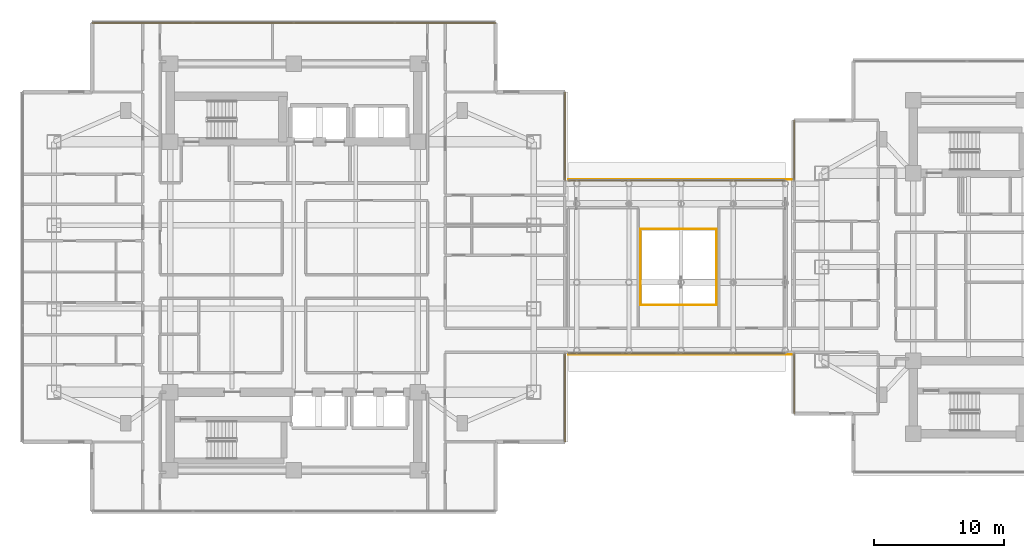
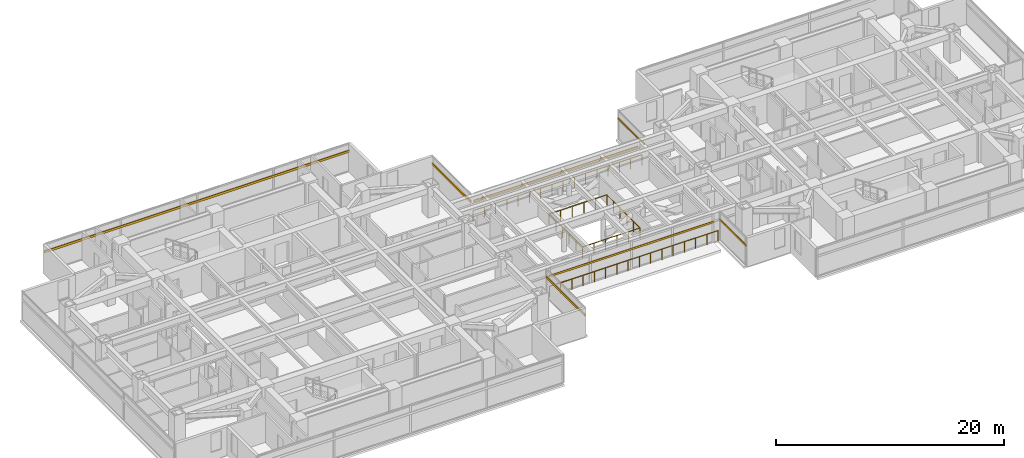
# One storey, part 24 of 27: 7 shading devices, 6 railings.
"""IFC4 building model written with IfcOpenShell, lengths in metres."""

from ifc_helpers import new_model, si_unit, direction, frame, origin, origin_2d, place, context, subcontext, project, spatial, rectangle, circle, extrude, material, material_profile, profile_set, type_object, element, save


model = new_model("IFC4")

# Units and contexts
model_context = context("Model", 3, precision=1e-05, world=origin(), true_north=direction((0.0, 1.0)))
body_context = subcontext(model_context, "Body", "Model", "MODEL_VIEW")
ifc_project = project(units=[si_unit("LENGTHUNIT", "METRE"), si_unit("AREAUNIT", "SQUARE_METRE"), si_unit("VOLUMEUNIT", "CUBIC_METRE"), si_unit("PLANEANGLEUNIT", "RADIAN"), si_unit("MASSUNIT", "GRAM", prefix="KILO")], contexts=[model_context])

# Site, building, storey
site_placement = place(None, origin())
site = spatial("IfcSite", under=ifc_project, at=site_placement, CompositionType="ELEMENT")
building_placement = place(site_placement, origin())
building = spatial("IfcBuilding", under=site, at=building_placement, Name="Mirazonda Arch Towers", CompositionType="ELEMENT")
storey_placement = place(building_placement, frame((0.0, 0.0, 95.0)))
storey = spatial("IfcBuildingStorey", under=building, at=storey_placement, Name="L26", CompositionType="ELEMENT", Elevation=95.0)

# Shading devices
ifc_material_1 = material(Name="Kiln-Fired Architectural Terracotta", Category="masonry")
ifc_material_profile_1 = material_profile(ifc_material_1, rectangle(XDim=0.1201171875, YDim=0.239990234375, at=origin_2d()), Name="TERRA-BAG-120x240")
ifc_profile_set_1 = profile_set([ifc_material_profile_1], Name="Kiln-Fired Architectural Terracotta")
shading_device_type_1 = type_object("IfcShadingDeviceType", Name="BAGUETTE-1", PredefinedType="USERDEFINED", material=ifc_profile_set_1)
for number, where, z_axis, x_axis, name in (
    (1, (41.2900390625, 14.5791015625, 2.203125), (0.0, 1.0, 0.0), (-1.0, 0.0, 0.0), "L26 Glazed Terracotta Sun-Screen Baguette CW-L26-T1-E1"),
    (2, (41.2900390625, 34.639892578125, 2.203125), (0.0, 1.0, 0.0), (-1.0, 0.0, 0.0), "L26 Glazed Terracotta Sun-Screen Baguette CW-L26-T1-E2"),
):
    element("IfcShadingDevice", number, at=place(storey_placement, frame(where, z_axis=z_axis, x_axis=x_axis)), inside=storey, type_object=shading_device_type_1, Name=name, ObjectType="BAGUETTE", PredefinedType="USERDEFINED", context=body_context, shape_type="SweptSolid", body=[
        extrude(rectangle(XDim=0.1201171875, YDim=0.239990234375, at=origin_2d()), origin(), (0.0, 0.0, 1.0), 6.781005859375),
    ])
shading_device_placement = place(storey_placement, frame((5.014892578125, 46.72607421875, 2.203125), z_axis=(1.0, 0.0, 0.0), x_axis=(0.0, 1.0, 0.0)))
element("IfcShadingDevice", 3, at=shading_device_placement, inside=storey, type_object=shading_device_type_1, Name="L26 Glazed Terracotta Sun-Screen Baguette CW-L26-T1-N", ObjectType="BAGUETTE", PredefinedType="USERDEFINED", context=body_context, shape_type="SweptSolid", body=[
    extrude(rectangle(XDim=0.1201171875, YDim=0.239990234375, at=origin_2d()), origin(), (0.0, 0.0, 1.0), 30.97021484375),
])
ifc_material_profile_2 = material_profile(ifc_material_1, rectangle(XDim=0.10009765625, YDim=0.199951171875, at=origin_2d()), Name="TERRA-BAG-100x200")
ifc_profile_set_2 = profile_set([ifc_material_profile_2], Name="Kiln-Fired Architectural Terracotta")
shading_device_type_2 = type_object("IfcShadingDeviceType", Name="BAGUETTE-2", PredefinedType="USERDEFINED", material=ifc_profile_set_2)
for number, where, z_axis, x_axis, name in (
    (4, (58.881591796875, 39.247802734375, 2.203125), (0.0, -1.0, 0.0), (1.0, 0.0, 0.0), "L26 Glazed Terracotta Sun-Screen Baguette CW-L26-T2-W1"),
    (5, (58.881591796875, 21.360107421875, 2.203125), (0.0, -1.0, 0.0), (1.0, 0.0, 0.0), "L26 Glazed Terracotta Sun-Screen Baguette CW-L26-T2-W2"),
):
    element("IfcShadingDevice", number, at=place(storey_placement, frame(where, z_axis=z_axis, x_axis=x_axis)), inside=storey, type_object=shading_device_type_2, Name=name, ObjectType="BAGUETTE", PredefinedType="USERDEFINED", context=body_context, shape_type="SweptSolid", body=[
        extrude(rectangle(XDim=0.10009765625, YDim=0.199951171875, at=origin_2d()), origin(), (0.0, 0.0, 1.0), 4.60791015625),
    ])
for number, where, z_axis, x_axis, name in (
    (6, (58.21142578125, 21.3798828125, 2.17431640625), (-1.0, 0.0, 0.0), (0.0, -1.0, 0.0), "L26 Glazed Terracotta Sun-Screen Baguette CW-L26-BRG-S"),
    (7, (41.550048828125, 34.6201171875, 2.17431640625), (1.0, 0.0, 0.0), (0.0, 1.0, 0.0), "L26 Glazed Terracotta Sun-Screen Baguette CW-L26-BRG-N"),
):
    element("IfcShadingDevice", number, at=place(storey_placement, frame(where, z_axis=z_axis, x_axis=x_axis)), inside=storey, type_object=shading_device_type_2, Name=name, ObjectType="BAGUETTE", PredefinedType="USERDEFINED", context=body_context, shape_type="SweptSolid", body=[
        extrude(rectangle(XDim=0.10009765625, YDim=0.199951171875, at=origin_2d()), origin(), (0.0, 0.0, 1.0), 16.661376953125),
    ])

# Railings
ifc_material_2 = material(Name="Insulated Low-E Solar Glass", Category="glass")
railing_type_1 = type_object("IfcRailingType", Name="BALUSTRADE-ATRIUM-1150", PredefinedType="BALUSTRADE", material=ifc_material_2)
railing_1_placement = place(storey_placement, frame((47.080078125, 25.080078125, 0.0)))
element("IfcRailing", 8, at=railing_1_placement, inside=storey, type_object=railing_type_1, Name="L26 L26 Skybridge Atrium Void Balustrade 01", PredefinedType="BALUSTRADE", context=body_context, shape_type="SweptSolid", body=[
    extrude(circle(Radius=0.02392578125, at=origin_2d()), frame((0.0, 0.0, 1.1259765625), z_axis=(1.0, 0.0, 0.0), x_axis=(0.0, 1.0, 0.0)), (0.0, 0.0, 1.0), 5.83984375),
    extrude(circle(Radius=0.02099609375, at=origin_2d()), origin(), (0.0, 0.0, 1.0), 1.101806640625),
    extrude(circle(Radius=0.02099609375, at=origin_2d()), frame((1.16796875, 0.0, 0.0)), (0.0, 0.0, 1.0), 1.101806640625),
    extrude(circle(Radius=0.02099609375, at=origin_2d()), frame((2.3359375, 0.0, 0.0)), (0.0, 0.0, 1.0), 1.101806640625),
    extrude(circle(Radius=0.02099609375, at=origin_2d()), frame((3.50390625, 0.0, 0.0)), (0.0, 0.0, 1.0), 1.101806640625),
    extrude(circle(Radius=0.02099609375, at=origin_2d()), frame((4.671875, 0.0, 0.0)), (0.0, 0.0, 1.0), 1.101806640625),
    extrude(circle(Radius=0.02099609375, at=origin_2d()), frame((5.83984375, 0.0, 0.0)), (0.0, 0.0, 1.0), 1.101806640625),
])
railing_2_placement = place(storey_placement, frame((52.919921875, 25.080078125, 0.0)))
element("IfcRailing", 9, at=railing_2_placement, inside=storey, type_object=railing_type_1, Name="L26 L26 Skybridge Atrium Void Balustrade 02", PredefinedType="BALUSTRADE", context=body_context, shape_type="SweptSolid", body=[
    extrude(circle(Radius=0.02392578125, at=origin_2d()), frame((0.0, 0.0, 1.1259765625), z_axis=(0.0, 1.0, 0.0), x_axis=(-1.0, 0.0, 0.0)), (0.0, 0.0, 1.0), 5.83984375),
    extrude(circle(Radius=0.02099609375, at=origin_2d()), origin(), (0.0, 0.0, 1.0), 1.101806640625),
    extrude(circle(Radius=0.02099609375, at=origin_2d()), frame((0.0, 1.16796875, 0.0)), (0.0, 0.0, 1.0), 1.101806640625),
    extrude(circle(Radius=0.02099609375, at=origin_2d()), frame((0.0, 2.3359375, 0.0)), (0.0, 0.0, 1.0), 1.101806640625),
    extrude(circle(Radius=0.02099609375, at=origin_2d()), frame((0.0, 3.50390625, 0.0)), (0.0, 0.0, 1.0), 1.101806640625),
    extrude(circle(Radius=0.02099609375, at=origin_2d()), frame((0.0, 4.671875, 0.0)), (0.0, 0.0, 1.0), 1.101806640625),
    extrude(circle(Radius=0.02099609375, at=origin_2d()), frame((0.0, 5.83984375, 0.0)), (0.0, 0.0, 1.0), 1.101806640625),
])
railing_3_placement = place(storey_placement, frame((52.919921875, 30.919921875, 0.0)))
element("IfcRailing", 10, at=railing_3_placement, inside=storey, type_object=railing_type_1, Name="L26 L26 Skybridge Atrium Void Balustrade 03", PredefinedType="BALUSTRADE", context=body_context, shape_type="SweptSolid", body=[
    extrude(circle(Radius=0.02392578125, at=origin_2d()), frame((0.0, 0.0, 1.1259765625), z_axis=(-1.0, 0.0, 0.0), x_axis=(0.0, -1.0, 0.0)), (0.0, 0.0, 1.0), 5.83984375),
    extrude(circle(Radius=0.02099609375, at=origin_2d()), origin(), (0.0, 0.0, 1.0), 1.101806640625),
    extrude(circle(Radius=0.02099609375, at=origin_2d()), frame((-1.16796875, 0.0, 0.0)), (0.0, 0.0, 1.0), 1.101806640625),
    extrude(circle(Radius=0.02099609375, at=origin_2d()), frame((-2.3359375, 0.0, 0.0)), (0.0, 0.0, 1.0), 1.101806640625),
    extrude(circle(Radius=0.02099609375, at=origin_2d()), frame((-3.50390625, 0.0, 0.0)), (0.0, 0.0, 1.0), 1.101806640625),
    extrude(circle(Radius=0.02099609375, at=origin_2d()), frame((-4.671875, 0.0, 0.0)), (0.0, 0.0, 1.0), 1.101806640625),
    extrude(circle(Radius=0.02099609375, at=origin_2d()), frame((-5.83984375, 0.0, 0.0)), (0.0, 0.0, 1.0), 1.101806640625),
])
railing_4_placement = place(storey_placement, frame((47.080078125, 30.919921875, 0.0)))
element("IfcRailing", 11, at=railing_4_placement, inside=storey, type_object=railing_type_1, Name="L26 L26 Skybridge Atrium Void Balustrade 04", PredefinedType="BALUSTRADE", context=body_context, shape_type="SweptSolid", body=[
    extrude(circle(Radius=0.02392578125, at=origin_2d()), frame((0.0, 0.0, 1.1259765625), z_axis=(0.0, -1.0, 0.0), x_axis=(1.0, 0.0, 0.0)), (0.0, 0.0, 1.0), 5.83984375),
    extrude(circle(Radius=0.02099609375, at=origin_2d()), origin(), (0.0, 0.0, 1.0), 1.101806640625),
    extrude(circle(Radius=0.02099609375, at=origin_2d()), frame((0.0, -1.16796875, 0.0)), (0.0, 0.0, 1.0), 1.101806640625),
    extrude(circle(Radius=0.02099609375, at=origin_2d()), frame((0.0, -2.3359375, 0.0)), (0.0, 0.0, 1.0), 1.101806640625),
    extrude(circle(Radius=0.02099609375, at=origin_2d()), frame((0.0, -3.50390625, 0.0)), (0.0, 0.0, 1.0), 1.101806640625),
    extrude(circle(Radius=0.02099609375, at=origin_2d()), frame((0.0, -4.671875, 0.0)), (0.0, 0.0, 1.0), 1.101806640625),
    extrude(circle(Radius=0.02099609375, at=origin_2d()), frame((0.0, -5.83984375, 0.0)), (0.0, 0.0, 1.0), 1.101806640625),
])
ifc_material_3 = material(Name="Architectural Brushed Steel S355", Category="steel")
railing_type_2 = type_object("IfcRailingType", Name="GUARD-EXT-1150", PredefinedType="GUARDRAIL", material=ifc_material_3)
railing_5_placement = place(storey_placement, frame((41.550048828125, 21.300048828125, 0.0)))
element("IfcRailing", 12, at=railing_5_placement, inside=storey, type_object=railing_type_2, Name="L26 Skybridge South Edge Guard 01", PredefinedType="GUARDRAIL", context=body_context, shape_type="SweptSolid", body=[
    extrude(circle(Radius=0.02392578125, at=origin_2d()), frame((0.0, 0.0, 1.1259765625), z_axis=(1.0, 0.0, 0.0), x_axis=(0.0, 1.0, 0.0)), (0.0, 0.0, 1.0), 17.111572265625),
    extrude(circle(Radius=0.02099609375, at=origin_2d()), origin(), (0.0, 0.0, 1.0), 1.101806640625),
    extrude(circle(Radius=0.02099609375, at=origin_2d()), frame((1.140869140625, 0.0, 0.0)), (0.0, 0.0, 1.0), 1.101806640625),
    extrude(circle(Radius=0.02099609375, at=origin_2d()), frame((2.281494140625, 0.0, 0.0)), (0.0, 0.0, 1.0), 1.101806640625),
    extrude(circle(Radius=0.02099609375, at=origin_2d()), frame((3.42236328125, 0.0, 0.0)), (0.0, 0.0, 1.0), 1.101806640625),
    extrude(circle(Radius=0.02099609375, at=origin_2d()), frame((4.56298828125, 0.0, 0.0)), (0.0, 0.0, 1.0), 1.101806640625),
    extrude(circle(Radius=0.02099609375, at=origin_2d()), frame((5.703857421875, 0.0, 0.0)), (0.0, 0.0, 1.0), 1.101806640625),
    extrude(circle(Radius=0.02099609375, at=origin_2d()), frame((6.8447265625, 0.0, 0.0)), (0.0, 0.0, 1.0), 1.101806640625),
    extrude(circle(Radius=0.02099609375, at=origin_2d()), frame((7.9853515625, 0.0, 0.0)), (0.0, 0.0, 1.0), 1.101806640625),
    extrude(circle(Radius=0.02099609375, at=origin_2d()), frame((9.126220703125, 0.0, 0.0)), (0.0, 0.0, 1.0), 1.101806640625),
    extrude(circle(Radius=0.02099609375, at=origin_2d()), frame((10.266845703125, 0.0, 0.0)), (0.0, 0.0, 1.0), 1.101806640625),
    extrude(circle(Radius=0.02099609375, at=origin_2d()), frame((11.40771484375, 0.0, 0.0)), (0.0, 0.0, 1.0), 1.101806640625),
    extrude(circle(Radius=0.02099609375, at=origin_2d()), frame((12.548583984375, 0.0, 0.0)), (0.0, 0.0, 1.0), 1.101806640625),
    extrude(circle(Radius=0.02099609375, at=origin_2d()), frame((13.689208984375, 0.0, 0.0)), (0.0, 0.0, 1.0), 1.101806640625),
    extrude(circle(Radius=0.02099609375, at=origin_2d()), frame((14.830078125, 0.0, 0.0)), (0.0, 0.0, 1.0), 1.101806640625),
    extrude(circle(Radius=0.02099609375, at=origin_2d()), frame((15.970703125, 0.0, 0.0)), (0.0, 0.0, 1.0), 1.101806640625),
    extrude(circle(Radius=0.02099609375, at=origin_2d()), frame((17.111572265625, 0.0, 0.0)), (0.0, 0.0, 1.0), 1.101806640625),
])
railing_6_placement = place(storey_placement, frame((41.550048828125, 34.699951171875, 0.0)))
element("IfcRailing", 13, at=railing_6_placement, inside=storey, type_object=railing_type_2, Name="L26 Skybridge North Edge Guard 01", PredefinedType="GUARDRAIL", context=body_context, shape_type="SweptSolid", body=[
    extrude(circle(Radius=0.02392578125, at=origin_2d()), frame((0.0, 0.0, 1.1259765625), z_axis=(1.0, 0.0, 0.0), x_axis=(0.0, 1.0, 0.0)), (0.0, 0.0, 1.0), 17.111572265625),
    extrude(circle(Radius=0.02099609375, at=origin_2d()), origin(), (0.0, 0.0, 1.0), 1.101806640625),
    extrude(circle(Radius=0.02099609375, at=origin_2d()), frame((1.140869140625, 0.0, 0.0)), (0.0, 0.0, 1.0), 1.101806640625),
    extrude(circle(Radius=0.02099609375, at=origin_2d()), frame((2.281494140625, 0.0, 0.0)), (0.0, 0.0, 1.0), 1.101806640625),
    extrude(circle(Radius=0.02099609375, at=origin_2d()), frame((3.42236328125, 0.0, 0.0)), (0.0, 0.0, 1.0), 1.101806640625),
    extrude(circle(Radius=0.02099609375, at=origin_2d()), frame((4.56298828125, 0.0, 0.0)), (0.0, 0.0, 1.0), 1.101806640625),
    extrude(circle(Radius=0.02099609375, at=origin_2d()), frame((5.703857421875, 0.0, 0.0)), (0.0, 0.0, 1.0), 1.101806640625),
    extrude(circle(Radius=0.02099609375, at=origin_2d()), frame((6.8447265625, 0.0, 0.0)), (0.0, 0.0, 1.0), 1.101806640625),
    extrude(circle(Radius=0.02099609375, at=origin_2d()), frame((7.9853515625, 0.0, 0.0)), (0.0, 0.0, 1.0), 1.101806640625),
    extrude(circle(Radius=0.02099609375, at=origin_2d()), frame((9.126220703125, 0.0, 0.0)), (0.0, 0.0, 1.0), 1.101806640625),
    extrude(circle(Radius=0.02099609375, at=origin_2d()), frame((10.266845703125, 0.0, 0.0)), (0.0, 0.0, 1.0), 1.101806640625),
    extrude(circle(Radius=0.02099609375, at=origin_2d()), frame((11.40771484375, 0.0, 0.0)), (0.0, 0.0, 1.0), 1.101806640625),
    extrude(circle(Radius=0.02099609375, at=origin_2d()), frame((12.548583984375, 0.0, 0.0)), (0.0, 0.0, 1.0), 1.101806640625),
    extrude(circle(Radius=0.02099609375, at=origin_2d()), frame((13.689208984375, 0.0, 0.0)), (0.0, 0.0, 1.0), 1.101806640625),
    extrude(circle(Radius=0.02099609375, at=origin_2d()), frame((14.830078125, 0.0, 0.0)), (0.0, 0.0, 1.0), 1.101806640625),
    extrude(circle(Radius=0.02099609375, at=origin_2d()), frame((15.970703125, 0.0, 0.0)), (0.0, 0.0, 1.0), 1.101806640625),
    extrude(circle(Radius=0.02099609375, at=origin_2d()), frame((17.111572265625, 0.0, 0.0)), (0.0, 0.0, 1.0), 1.101806640625),
])

save(model, "model.ifc")
